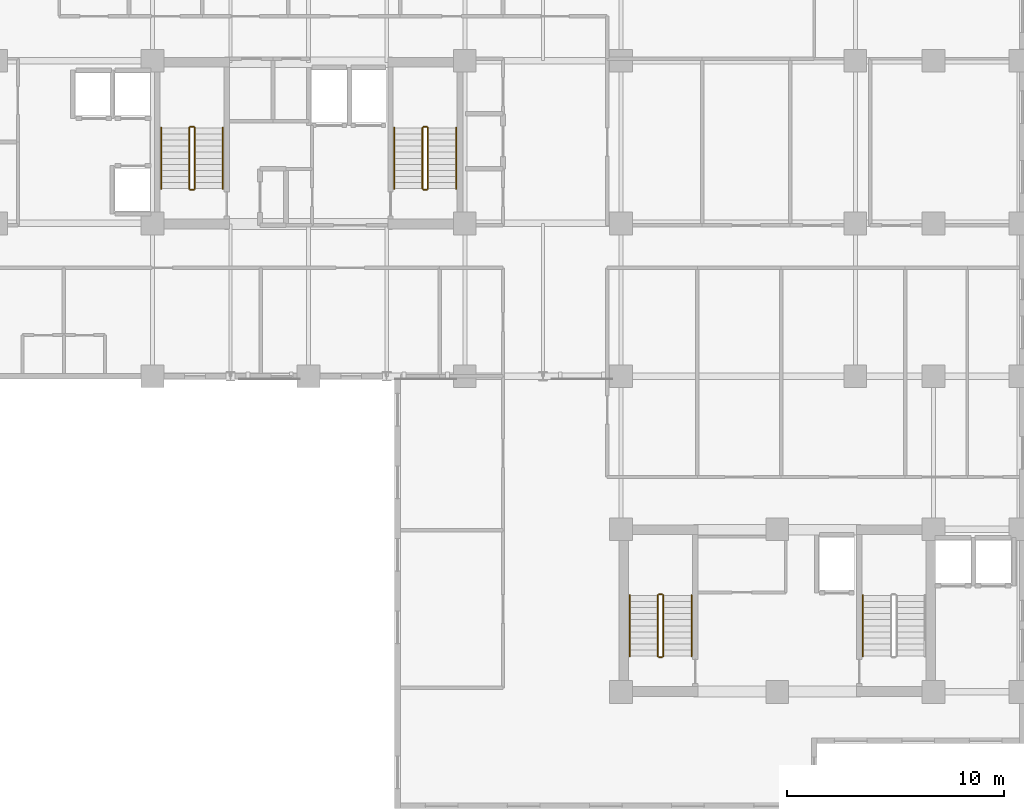
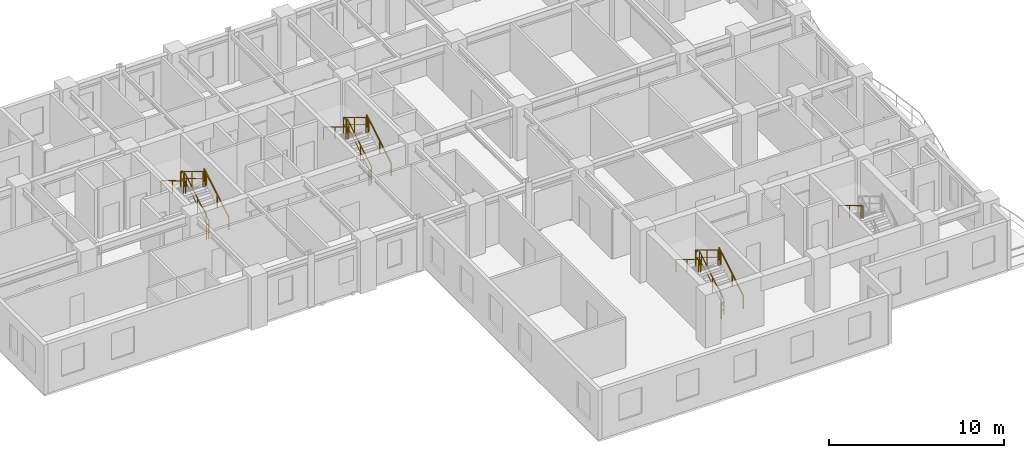
# One storey, part 11 of 13: 19 railings.
"""IFC4 building model written with IfcOpenShell, lengths in metres."""

from ifc_helpers import new_model, si_unit, direction, frame, origin, origin_2d, place, context, subcontext, project, spatial, rectangle, extrude, material, type_object, element, save


model = new_model("IFC4")

# Units and contexts
model_context = context("Model", 3, precision=1e-05, world=origin(), true_north=direction((0.0, 1.0)))
body_context = subcontext(model_context, "Body", "Model", "MODEL_VIEW")
ifc_project = project(units=[si_unit("LENGTHUNIT", "METRE"), si_unit("AREAUNIT", "SQUARE_METRE"), si_unit("VOLUMEUNIT", "CUBIC_METRE"), si_unit("PLANEANGLEUNIT", "RADIAN"), si_unit("MASSUNIT", "GRAM", prefix="KILO")], contexts=[model_context])

# Site, building, storey
site_placement = place(None, origin())
site = spatial("IfcSite", under=ifc_project, at=site_placement, CompositionType="ELEMENT")
building_placement = place(site_placement, origin())
building = spatial("IfcBuilding", under=site, at=building_placement, Name="Kaliganga Portal Commons", CompositionType="ELEMENT")
storey_placement = place(building_placement, frame((0.0, 0.0, 173.5)))
storey = spatial("IfcBuildingStorey", under=building, at=storey_placement, Name="L44", CompositionType="ELEMENT", Elevation=173.5)

# Railings
ifc_material_1 = material(Name="Galvanized Painted Steel Balustrade", Category="steel")
railing_type_1 = type_object("IfcRailingType", Name="RLG-STAIR-GRD", PredefinedType="GUARDRAIL", material=ifc_material_1)
railing_1_placement = place(storey_placement, frame((16.35009765625, 30.25, 0.168212890625)))
element("IfcRailing", 1, at=railing_1_placement, inside=storey, type_object=railing_type_1, Name="L44 ST-A1 stair guard 1", PredefinedType="GUARDRAIL", context=body_context, shape_type="SweptSolid", body=[
    extrude(rectangle(XDim=0.048095703125, YDim=0.048095703125, at=origin_2d()), frame((0.0, 0.0, 1.072021484375), z_axis=(0.0, 0.857242210791, 0.514913383045), x_axis=(-1.0, 0.0, 0.0)), (0.0, 0.0, 1.0), 3.266357421875),
    extrude(rectangle(XDim=0.028076171875, YDim=0.028076171875, at=origin_2d()), frame((0.0, 0.0, 0.572021484375), z_axis=(0.0, 0.857242210791, 0.514913383045), x_axis=(-1.0, 0.0, 0.0)), (0.0, 0.0, 1.0), 3.266357421875),
    extrude(rectangle(XDim=0.0419921875, YDim=0.0419921875, at=origin_2d()), origin(), (0.0, 0.0, 1.0), 1.052001953125),
    extrude(rectangle(XDim=0.0419921875, YDim=0.0419921875, at=origin_2d()), frame((0.0, 1.285888671875, 0.7724609375)), (0.0, 0.0, 1.0), 1.052001953125),
    extrude(rectangle(XDim=0.0419921875, YDim=0.0419921875, at=origin_2d()), frame((0.0, 2.57177734375, 1.544677734375)), (0.0, 0.0, 1.0), 1.052001953125),
    extrude(rectangle(XDim=0.0419921875, YDim=0.0419921875, at=origin_2d()), frame((0.0, 2.800048828125, 1.681884765625)), (0.0, 0.0, 1.0), 1.052001953125),
])
railing_2_placement = place(storey_placement, frame((16.300048828125, 33.10009765625, 1.85009765625)))
element("IfcRailing", 2, at=railing_2_placement, inside=storey, type_object=railing_type_1, Name="L44 ST-A1 stair guard 2", PredefinedType="GUARDRAIL", context=body_context, shape_type="SweptSolid", body=[
    extrude(rectangle(XDim=0.048095703125, YDim=0.048095703125, at=origin_2d()), frame((0.0, 0.0, 1.076171875), z_axis=(-1.0, 0.0, 0.0), x_axis=(0.0, -1.0, 0.0)), (0.0, 0.0, 1.0), 0.150146484375),
    extrude(rectangle(XDim=0.028076171875, YDim=0.028076171875, at=origin_2d()), frame((0.0, 0.0, 0.572021484375), z_axis=(-1.0, 0.0, 0.0), x_axis=(0.0, -1.0, 0.0)), (0.0, 0.0, 1.0), 0.150146484375),
    extrude(rectangle(XDim=0.0419921875, YDim=0.0419921875, at=origin_2d()), origin(), (0.0, 0.0, 1.0), 1.052001953125),
    extrude(rectangle(XDim=0.0419921875, YDim=0.0419921875, at=origin_2d()), frame((-0.150146484375, 0.0, 0.0)), (0.0, 0.0, 1.0), 1.052001953125),
])
railing_3_placement = place(storey_placement, frame((16.10009765625, 33.050048828125, 2.01806640625)))
element("IfcRailing", 3, at=railing_3_placement, inside=storey, type_object=railing_type_1, Name="L44 ST-A1 stair guard 3", PredefinedType="GUARDRAIL", context=body_context, shape_type="SweptSolid", body=[
    extrude(rectangle(XDim=0.048095703125, YDim=0.048095703125, at=origin_2d()), frame((0.0, 0.0, 1.072021484375), z_axis=(0.0, -0.857242210791, 0.514913383045), x_axis=(1.0, 0.0, 0.0)), (0.0, 0.0, 1.0), 3.266357421875),
    extrude(rectangle(XDim=0.028076171875, YDim=0.028076171875, at=origin_2d()), frame((0.0, 0.0, 0.572021484375), z_axis=(0.0, -0.857242210791, 0.514913383045), x_axis=(1.0, 0.0, 0.0)), (0.0, 0.0, 1.0), 3.266357421875),
    extrude(rectangle(XDim=0.0419921875, YDim=0.0419921875, at=origin_2d()), origin(), (0.0, 0.0, 1.0), 1.052001953125),
    extrude(rectangle(XDim=0.0419921875, YDim=0.0419921875, at=origin_2d()), frame((0.0, -1.285888671875, 0.7724609375)), (0.0, 0.0, 1.0), 1.052001953125),
    extrude(rectangle(XDim=0.0419921875, YDim=0.0419921875, at=origin_2d()), frame((0.0, -2.57177734375, 1.544677734375)), (0.0, 0.0, 1.0), 1.052001953125),
    extrude(rectangle(XDim=0.0419921875, YDim=0.0419921875, at=origin_2d()), frame((0.0, -2.800048828125, 1.681884765625)), (0.0, 0.0, 1.0), 1.052001953125),
])
railing_4_placement = place(storey_placement, frame((16.300048828125, 30.199951171875, 0.0)))
element("IfcRailing", 4, at=railing_4_placement, inside=storey, type_object=railing_type_1, Name="L44 ST-A1 stair guard 4", PredefinedType="GUARDRAIL", context=body_context, shape_type="SweptSolid", body=[
    extrude(rectangle(XDim=0.048095703125, YDim=0.048095703125, at=origin_2d()), frame((0.0, 0.0, 1.076171875), z_axis=(-1.0, 0.0, 0.0), x_axis=(0.0, -1.0, 0.0)), (0.0, 0.0, 1.0), 0.150146484375),
    extrude(rectangle(XDim=0.028076171875, YDim=0.028076171875, at=origin_2d()), frame((0.0, 0.0, 0.572021484375), z_axis=(-1.0, 0.0, 0.0), x_axis=(0.0, -1.0, 0.0)), (0.0, 0.0, 1.0), 0.150146484375),
    extrude(rectangle(XDim=0.0419921875, YDim=0.0419921875, at=origin_2d()), origin(), (0.0, 0.0, 1.0), 1.052001953125),
    extrude(rectangle(XDim=0.0419921875, YDim=0.0419921875, at=origin_2d()), frame((-0.150146484375, 0.0, 0.0)), (0.0, 0.0, 1.0), 1.052001953125),
])
railing_5_placement = place(storey_placement, frame((27.10009765625, 30.25, 0.168212890625)))
element("IfcRailing", 5, at=railing_5_placement, inside=storey, type_object=railing_type_1, Name="L44 ST-A2 stair guard 1", PredefinedType="GUARDRAIL", context=body_context, shape_type="SweptSolid", body=[
    extrude(rectangle(XDim=0.048095703125, YDim=0.048095703125, at=origin_2d()), frame((0.0, 0.0, 1.072021484375), z_axis=(0.0, 0.857242210791, 0.514913383045), x_axis=(-1.0, 0.0, 0.0)), (0.0, 0.0, 1.0), 3.266357421875),
    extrude(rectangle(XDim=0.028076171875, YDim=0.028076171875, at=origin_2d()), frame((0.0, 0.0, 0.572021484375), z_axis=(0.0, 0.857242210791, 0.514913383045), x_axis=(-1.0, 0.0, 0.0)), (0.0, 0.0, 1.0), 3.266357421875),
    extrude(rectangle(XDim=0.0419921875, YDim=0.0419921875, at=origin_2d()), origin(), (0.0, 0.0, 1.0), 1.052001953125),
    extrude(rectangle(XDim=0.0419921875, YDim=0.0419921875, at=origin_2d()), frame((0.0, 1.285888671875, 0.7724609375)), (0.0, 0.0, 1.0), 1.052001953125),
    extrude(rectangle(XDim=0.0419921875, YDim=0.0419921875, at=origin_2d()), frame((0.0, 2.57177734375, 1.544677734375)), (0.0, 0.0, 1.0), 1.052001953125),
    extrude(rectangle(XDim=0.0419921875, YDim=0.0419921875, at=origin_2d()), frame((0.0, 2.800048828125, 1.681884765625)), (0.0, 0.0, 1.0), 1.052001953125),
])
railing_6_placement = place(storey_placement, frame((27.050048828125, 33.10009765625, 1.85009765625)))
element("IfcRailing", 6, at=railing_6_placement, inside=storey, type_object=railing_type_1, Name="L44 ST-A2 stair guard 2", PredefinedType="GUARDRAIL", context=body_context, shape_type="SweptSolid", body=[
    extrude(rectangle(XDim=0.048095703125, YDim=0.048095703125, at=origin_2d()), frame((0.0, 0.0, 1.076171875), z_axis=(-1.0, 0.0, 0.0), x_axis=(0.0, -1.0, 0.0)), (0.0, 0.0, 1.0), 0.150146484375),
    extrude(rectangle(XDim=0.028076171875, YDim=0.028076171875, at=origin_2d()), frame((0.0, 0.0, 0.572021484375), z_axis=(-1.0, 0.0, 0.0), x_axis=(0.0, -1.0, 0.0)), (0.0, 0.0, 1.0), 0.150146484375),
    extrude(rectangle(XDim=0.0419921875, YDim=0.0419921875, at=origin_2d()), origin(), (0.0, 0.0, 1.0), 1.052001953125),
    extrude(rectangle(XDim=0.0419921875, YDim=0.0419921875, at=origin_2d()), frame((-0.150146484375, 0.0, 0.0)), (0.0, 0.0, 1.0), 1.052001953125),
])
railing_7_placement = place(storey_placement, frame((26.85009765625, 33.050048828125, 2.01806640625)))
element("IfcRailing", 7, at=railing_7_placement, inside=storey, type_object=railing_type_1, Name="L44 ST-A2 stair guard 3", PredefinedType="GUARDRAIL", context=body_context, shape_type="SweptSolid", body=[
    extrude(rectangle(XDim=0.048095703125, YDim=0.048095703125, at=origin_2d()), frame((0.0, 0.0, 1.072021484375), z_axis=(0.0, -0.857242210791, 0.514913383045), x_axis=(1.0, 0.0, 0.0)), (0.0, 0.0, 1.0), 3.266357421875),
    extrude(rectangle(XDim=0.028076171875, YDim=0.028076171875, at=origin_2d()), frame((0.0, 0.0, 0.572021484375), z_axis=(0.0, -0.857242210791, 0.514913383045), x_axis=(1.0, 0.0, 0.0)), (0.0, 0.0, 1.0), 3.266357421875),
    extrude(rectangle(XDim=0.0419921875, YDim=0.0419921875, at=origin_2d()), origin(), (0.0, 0.0, 1.0), 1.052001953125),
    extrude(rectangle(XDim=0.0419921875, YDim=0.0419921875, at=origin_2d()), frame((0.0, -1.285888671875, 0.7724609375)), (0.0, 0.0, 1.0), 1.052001953125),
    extrude(rectangle(XDim=0.0419921875, YDim=0.0419921875, at=origin_2d()), frame((0.0, -2.57177734375, 1.544677734375)), (0.0, 0.0, 1.0), 1.052001953125),
    extrude(rectangle(XDim=0.0419921875, YDim=0.0419921875, at=origin_2d()), frame((0.0, -2.800048828125, 1.681884765625)), (0.0, 0.0, 1.0), 1.052001953125),
])
railing_8_placement = place(storey_placement, frame((27.050048828125, 30.199951171875, 0.0)))
element("IfcRailing", 8, at=railing_8_placement, inside=storey, type_object=railing_type_1, Name="L44 ST-A2 stair guard 4", PredefinedType="GUARDRAIL", context=body_context, shape_type="SweptSolid", body=[
    extrude(rectangle(XDim=0.048095703125, YDim=0.048095703125, at=origin_2d()), frame((0.0, 0.0, 1.076171875), z_axis=(-1.0, 0.0, 0.0), x_axis=(0.0, -1.0, 0.0)), (0.0, 0.0, 1.0), 0.150146484375),
    extrude(rectangle(XDim=0.028076171875, YDim=0.028076171875, at=origin_2d()), frame((0.0, 0.0, 0.572021484375), z_axis=(-1.0, 0.0, 0.0), x_axis=(0.0, -1.0, 0.0)), (0.0, 0.0, 1.0), 0.150146484375),
    extrude(rectangle(XDim=0.0419921875, YDim=0.0419921875, at=origin_2d()), origin(), (0.0, 0.0, 1.0), 1.052001953125),
    extrude(rectangle(XDim=0.0419921875, YDim=0.0419921875, at=origin_2d()), frame((-0.150146484375, 0.0, 0.0)), (0.0, 0.0, 1.0), 1.052001953125),
])
railing_9_placement = place(storey_placement, frame((37.949951171875, 8.699951171875, 0.168212890625)))
element("IfcRailing", 9, at=railing_9_placement, inside=storey, type_object=railing_type_1, Name="L44 ST-B1 stair guard 1", PredefinedType="GUARDRAIL", context=body_context, shape_type="SweptSolid", body=[
    extrude(rectangle(XDim=0.048095703125, YDim=0.048095703125, at=origin_2d()), frame((0.0, 0.0, 1.072021484375), z_axis=(0.0, 0.857242210791, 0.514913383045), x_axis=(-1.0, 0.0, 0.0)), (0.0, 0.0, 1.0), 3.266357421875),
    extrude(rectangle(XDim=0.028076171875, YDim=0.028076171875, at=origin_2d()), frame((0.0, 0.0, 0.572021484375), z_axis=(0.0, 0.857242210791, 0.514913383045), x_axis=(-1.0, 0.0, 0.0)), (0.0, 0.0, 1.0), 3.266357421875),
    extrude(rectangle(XDim=0.0419921875, YDim=0.0419921875, at=origin_2d()), origin(), (0.0, 0.0, 1.0), 1.052001953125),
    extrude(rectangle(XDim=0.0419921875, YDim=0.0419921875, at=origin_2d()), frame((0.0, 1.285888671875, 0.7724609375)), (0.0, 0.0, 1.0), 1.052001953125),
    extrude(rectangle(XDim=0.0419921875, YDim=0.0419921875, at=origin_2d()), frame((0.0, 2.57177734375, 1.544677734375)), (0.0, 0.0, 1.0), 1.052001953125),
    extrude(rectangle(XDim=0.0419921875, YDim=0.0419921875, at=origin_2d()), frame((0.0, 2.800048828125, 1.681884765625)), (0.0, 0.0, 1.0), 1.052001953125),
])
railing_10_placement = place(storey_placement, frame((37.89990234375, 11.550048828125, 1.85009765625)))
element("IfcRailing", 10, at=railing_10_placement, inside=storey, type_object=railing_type_1, Name="L44 ST-B1 stair guard 2", PredefinedType="GUARDRAIL", context=body_context, shape_type="SweptSolid", body=[
    extrude(rectangle(XDim=0.048095703125, YDim=0.048095703125, at=origin_2d()), frame((0.0, 0.0, 1.076171875), z_axis=(-1.0, 0.0, 0.0), x_axis=(0.0, -1.0, 0.0)), (0.0, 0.0, 1.0), 0.14990234375),
    extrude(rectangle(XDim=0.028076171875, YDim=0.028076171875, at=origin_2d()), frame((0.0, 0.0, 0.572021484375), z_axis=(-1.0, 0.0, 0.0), x_axis=(0.0, -1.0, 0.0)), (0.0, 0.0, 1.0), 0.14990234375),
    extrude(rectangle(XDim=0.0419921875, YDim=0.0419921875, at=origin_2d()), frame((-0.14990234375, 0.0, 0.0)), (0.0, 0.0, 1.0), 1.052001953125),
])
railing_11_placement = place(storey_placement, frame((37.699951171875, 11.5, 2.01806640625)))
element("IfcRailing", 11, at=railing_11_placement, inside=storey, type_object=railing_type_1, Name="L44 ST-B1 stair guard 3", PredefinedType="GUARDRAIL", context=body_context, shape_type="SweptSolid", body=[
    extrude(rectangle(XDim=0.048095703125, YDim=0.048095703125, at=origin_2d()), frame((0.0, 0.0, 1.072021484375), z_axis=(0.0, -0.857242210791, 0.514913383045), x_axis=(1.0, 0.0, 0.0)), (0.0, 0.0, 1.0), 3.266357421875),
    extrude(rectangle(XDim=0.028076171875, YDim=0.028076171875, at=origin_2d()), frame((0.0, 0.0, 0.572021484375), z_axis=(0.0, -0.857242210791, 0.514913383045), x_axis=(1.0, 0.0, 0.0)), (0.0, 0.0, 1.0), 3.266357421875),
    extrude(rectangle(XDim=0.0419921875, YDim=0.0419921875, at=origin_2d()), origin(), (0.0, 0.0, 1.0), 1.052001953125),
    extrude(rectangle(XDim=0.0419921875, YDim=0.0419921875, at=origin_2d()), frame((0.0, -1.285888671875, 0.7724609375)), (0.0, 0.0, 1.0), 1.052001953125),
    extrude(rectangle(XDim=0.0419921875, YDim=0.0419921875, at=origin_2d()), frame((0.0, -2.57177734375, 1.544677734375)), (0.0, 0.0, 1.0), 1.052001953125),
    extrude(rectangle(XDim=0.0419921875, YDim=0.0419921875, at=origin_2d()), frame((0.0, -2.800048828125, 1.681884765625)), (0.0, 0.0, 1.0), 1.052001953125),
])
railing_12_placement = place(storey_placement, frame((37.89990234375, 8.64990234375, 0.0)))
element("IfcRailing", 12, at=railing_12_placement, inside=storey, type_object=railing_type_1, Name="L44 ST-B1 stair guard 4", PredefinedType="GUARDRAIL", context=body_context, shape_type="SweptSolid", body=[
    extrude(rectangle(XDim=0.048095703125, YDim=0.048095703125, at=origin_2d()), frame((0.0, 0.0, 1.076171875), z_axis=(-1.0, 0.0, 0.0), x_axis=(0.0, -1.0, 0.0)), (0.0, 0.0, 1.0), 0.14990234375),
    extrude(rectangle(XDim=0.028076171875, YDim=0.028076171875, at=origin_2d()), frame((0.0, 0.0, 0.572021484375), z_axis=(-1.0, 0.0, 0.0), x_axis=(0.0, -1.0, 0.0)), (0.0, 0.0, 1.0), 0.14990234375),
    extrude(rectangle(XDim=0.0419921875, YDim=0.0419921875, at=origin_2d()), frame((-0.14990234375, 0.0, 0.0)), (0.0, 0.0, 1.0), 1.052001953125),
])
ifc_material_2 = material(Name="Brushed Stainless Steel 316", Category="steel")
railing_type_2 = type_object("IfcRailingType", Name="RLG-STAIR-HR", PredefinedType="HANDRAIL", material=ifc_material_2)
railing_13_placement = place(storey_placement, frame((17.64990234375, 30.25, 0.168212890625)))
element("IfcRailing", 13, at=railing_13_placement, inside=storey, type_object=railing_type_2, Name="L44 ST-A1 stair handrail 1", PredefinedType="HANDRAIL", context=body_context, shape_type="SweptSolid", body=[
    extrude(rectangle(XDim=0.048095703125, YDim=0.048095703125, at=origin_2d()), frame((0.0, 0.0, 0.871826171875), z_axis=(0.0, 0.857242210791, 0.514913383045), x_axis=(-1.0, 0.0, 0.0)), (0.0, 0.0, 1.0), 3.266357421875),
    extrude(rectangle(XDim=0.0419921875, YDim=0.0419921875, at=origin_2d()), origin(), (0.0, 0.0, 1.0), 0.851806640625),
    extrude(rectangle(XDim=0.0419921875, YDim=0.0419921875, at=origin_2d()), frame((0.0, 1.285888671875, 0.7724609375)), (0.0, 0.0, 1.0), 0.851806640625),
    extrude(rectangle(XDim=0.0419921875, YDim=0.0419921875, at=origin_2d()), frame((0.0, 2.57177734375, 1.544677734375)), (0.0, 0.0, 1.0), 0.851806640625),
    extrude(rectangle(XDim=0.0419921875, YDim=0.0419921875, at=origin_2d()), frame((0.0, 2.800048828125, 1.681884765625)), (0.0, 0.0, 1.0), 0.851806640625),
])
railing_14_placement = place(storey_placement, frame((14.800048828125, 33.050048828125, 2.01806640625)))
element("IfcRailing", 14, at=railing_14_placement, inside=storey, type_object=railing_type_2, Name="L44 ST-A1 stair handrail 2", PredefinedType="HANDRAIL", context=body_context, shape_type="SweptSolid", body=[
    extrude(rectangle(XDim=0.048095703125, YDim=0.048095703125, at=origin_2d()), frame((0.0, 0.0, 0.871826171875), z_axis=(0.0, -0.857242210791, 0.514913383045), x_axis=(1.0, 0.0, 0.0)), (0.0, 0.0, 1.0), 3.266357421875),
    extrude(rectangle(XDim=0.0419921875, YDim=0.0419921875, at=origin_2d()), origin(), (0.0, 0.0, 1.0), 0.851806640625),
    extrude(rectangle(XDim=0.0419921875, YDim=0.0419921875, at=origin_2d()), frame((0.0, -1.285888671875, 0.7724609375)), (0.0, 0.0, 1.0), 0.851806640625),
    extrude(rectangle(XDim=0.0419921875, YDim=0.0419921875, at=origin_2d()), frame((0.0, -2.57177734375, 1.544677734375)), (0.0, 0.0, 1.0), 0.851806640625),
    extrude(rectangle(XDim=0.0419921875, YDim=0.0419921875, at=origin_2d()), frame((0.0, -2.800048828125, 1.681884765625)), (0.0, 0.0, 1.0), 0.851806640625),
])
railing_15_placement = place(storey_placement, frame((28.39990234375, 30.25, 0.168212890625)))
element("IfcRailing", 15, at=railing_15_placement, inside=storey, type_object=railing_type_2, Name="L44 ST-A2 stair handrail 1", PredefinedType="HANDRAIL", context=body_context, shape_type="SweptSolid", body=[
    extrude(rectangle(XDim=0.048095703125, YDim=0.048095703125, at=origin_2d()), frame((0.0, 0.0, 0.871826171875), z_axis=(0.0, 0.857242210791, 0.514913383045), x_axis=(-1.0, 0.0, 0.0)), (0.0, 0.0, 1.0), 3.266357421875),
    extrude(rectangle(XDim=0.0419921875, YDim=0.0419921875, at=origin_2d()), origin(), (0.0, 0.0, 1.0), 0.851806640625),
    extrude(rectangle(XDim=0.0419921875, YDim=0.0419921875, at=origin_2d()), frame((0.0, 1.285888671875, 0.7724609375)), (0.0, 0.0, 1.0), 0.851806640625),
    extrude(rectangle(XDim=0.0419921875, YDim=0.0419921875, at=origin_2d()), frame((0.0, 2.57177734375, 1.544677734375)), (0.0, 0.0, 1.0), 0.851806640625),
    extrude(rectangle(XDim=0.0419921875, YDim=0.0419921875, at=origin_2d()), frame((0.0, 2.800048828125, 1.681884765625)), (0.0, 0.0, 1.0), 0.851806640625),
])
railing_16_placement = place(storey_placement, frame((25.550048828125, 33.050048828125, 2.01806640625)))
element("IfcRailing", 16, at=railing_16_placement, inside=storey, type_object=railing_type_2, Name="L44 ST-A2 stair handrail 2", PredefinedType="HANDRAIL", context=body_context, shape_type="SweptSolid", body=[
    extrude(rectangle(XDim=0.048095703125, YDim=0.048095703125, at=origin_2d()), frame((0.0, 0.0, 0.871826171875), z_axis=(0.0, -0.857242210791, 0.514913383045), x_axis=(1.0, 0.0, 0.0)), (0.0, 0.0, 1.0), 3.266357421875),
    extrude(rectangle(XDim=0.0419921875, YDim=0.0419921875, at=origin_2d()), origin(), (0.0, 0.0, 1.0), 0.851806640625),
    extrude(rectangle(XDim=0.0419921875, YDim=0.0419921875, at=origin_2d()), frame((0.0, -1.285888671875, 0.7724609375)), (0.0, 0.0, 1.0), 0.851806640625),
    extrude(rectangle(XDim=0.0419921875, YDim=0.0419921875, at=origin_2d()), frame((0.0, -2.57177734375, 1.544677734375)), (0.0, 0.0, 1.0), 0.851806640625),
    extrude(rectangle(XDim=0.0419921875, YDim=0.0419921875, at=origin_2d()), frame((0.0, -2.800048828125, 1.681884765625)), (0.0, 0.0, 1.0), 0.851806640625),
])
railing_17_placement = place(storey_placement, frame((39.25, 8.699951171875, 0.168212890625)))
element("IfcRailing", 17, at=railing_17_placement, inside=storey, type_object=railing_type_2, Name="L44 ST-B1 stair handrail 1", PredefinedType="HANDRAIL", context=body_context, shape_type="SweptSolid", body=[
    extrude(rectangle(XDim=0.048095703125, YDim=0.048095703125, at=origin_2d()), frame((0.0, 0.0, 0.871826171875), z_axis=(0.0, 0.857242210791, 0.514913383045), x_axis=(-1.0, 0.0, 0.0)), (0.0, 0.0, 1.0), 3.266357421875),
    extrude(rectangle(XDim=0.0419921875, YDim=0.0419921875, at=origin_2d()), origin(), (0.0, 0.0, 1.0), 0.851806640625),
    extrude(rectangle(XDim=0.0419921875, YDim=0.0419921875, at=origin_2d()), frame((0.0, 1.285888671875, 0.7724609375)), (0.0, 0.0, 1.0), 0.851806640625),
    extrude(rectangle(XDim=0.0419921875, YDim=0.0419921875, at=origin_2d()), frame((0.0, 2.57177734375, 1.544677734375)), (0.0, 0.0, 1.0), 0.851806640625),
    extrude(rectangle(XDim=0.0419921875, YDim=0.0419921875, at=origin_2d()), frame((0.0, 2.800048828125, 1.681884765625)), (0.0, 0.0, 1.0), 0.851806640625),
])
for number, where, name in (
    (18, (36.39990234375, 11.5, 2.01806640625), "L44 ST-B1 stair handrail 2"),
    (19, (47.14990234375, 11.5, 2.01806640625), "L44 ST-B2 stair handrail 2"),
):
    element("IfcRailing", number, at=place(storey_placement, frame(where)), inside=storey, type_object=railing_type_2, Name=name, PredefinedType="HANDRAIL", context=body_context, shape_type="SweptSolid", body=[
        extrude(rectangle(XDim=0.048095703125, YDim=0.048095703125, at=origin_2d()), frame((0.0, 0.0, 0.871826171875), z_axis=(0.0, -0.857242210791, 0.514913383045), x_axis=(1.0, 0.0, 0.0)), (0.0, 0.0, 1.0), 3.266357421875),
        extrude(rectangle(XDim=0.0419921875, YDim=0.0419921875, at=origin_2d()), origin(), (0.0, 0.0, 1.0), 0.851806640625),
        extrude(rectangle(XDim=0.0419921875, YDim=0.0419921875, at=origin_2d()), frame((0.0, -1.285888671875, 0.7724609375)), (0.0, 0.0, 1.0), 0.851806640625),
        extrude(rectangle(XDim=0.0419921875, YDim=0.0419921875, at=origin_2d()), frame((0.0, -2.57177734375, 1.544677734375)), (0.0, 0.0, 1.0), 0.851806640625),
        extrude(rectangle(XDim=0.0419921875, YDim=0.0419921875, at=origin_2d()), frame((0.0, -2.800048828125, 1.681884765625)), (0.0, 0.0, 1.0), 0.851806640625),
    ])

save(model, "model.ifc")
